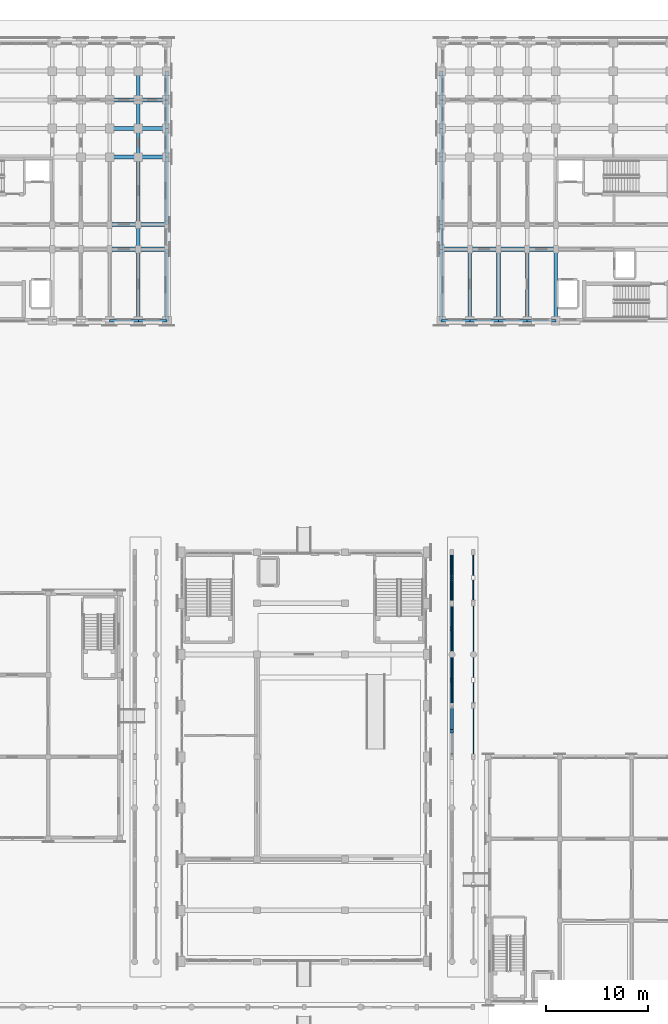
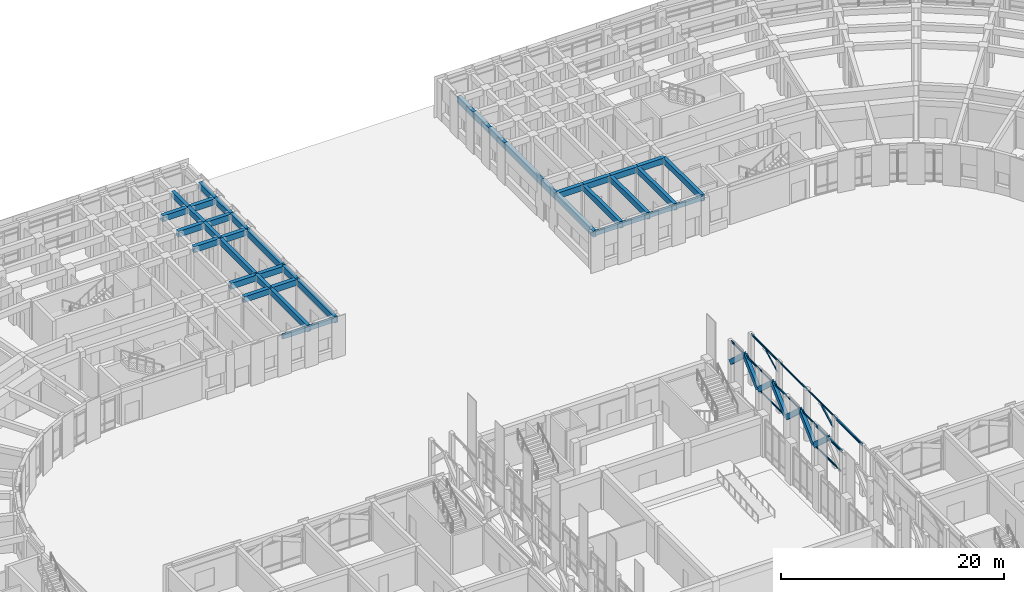
# One storey, part 44 of 135: 57 beams, 4 members.
"""IFC4 building model written with IfcOpenShell, lengths in metres."""

from ifc_helpers import new_model, si_unit, direction, frame, origin, origin_2d, place, context, subcontext, project, spatial, rectangle, hollow_rectangle, hollow_circle, i_section, extrude, material, material_profile, profile_set, type_object, element, save


model = new_model("IFC4")

# Units and contexts
model_context = context("Model", 3, precision=1e-05, world=origin(), true_north=direction((0.0, 1.0)))
body_context = subcontext(model_context, "Body", "Model", "MODEL_VIEW")
ifc_project = project(units=[si_unit("LENGTHUNIT", "METRE"), si_unit("AREAUNIT", "SQUARE_METRE"), si_unit("VOLUMEUNIT", "CUBIC_METRE"), si_unit("PLANEANGLEUNIT", "RADIAN"), si_unit("MASSUNIT", "GRAM", prefix="KILO")], contexts=[model_context])

# Site, building, storey
site_placement = place(None, origin())
site = spatial("IfcSite", under=ifc_project, at=site_placement, CompositionType="ELEMENT")
building_placement = place(site_placement, origin())
building = spatial("IfcBuilding", under=site, at=building_placement, Name="Kiranvali Square Residences", CompositionType="ELEMENT")
storey_placement = place(building_placement, origin())
storey = spatial("IfcBuildingStorey", under=building, at=storey_placement, Name="L00", CompositionType="ELEMENT", Elevation=0.0)

# Beams
ifc_material_1 = material(Name="Concrete M40 (40 MPa)", Category="concrete")
ifc_material_profile_1 = material_profile(ifc_material_1, rectangle(XDim=0.35009765625, YDim=0.5, at=origin_2d()), Name="RC 350x500")
ifc_profile_set_1 = profile_set([ifc_material_profile_1], Name="Concrete M40 (40 MPa)")
beam_type_1 = type_object("IfcBeamType", Name="AR-M40-350x500", PredefinedType="USERDEFINED", material=ifc_profile_set_1)
for number, where, z_axis, x_axis, name in (
    (1, (98.449951171875, 66.5, 5.4599609375), (0.0, 0.736401324674, -0.676544964521), (-1.0, 0.0, 0.0), "Classical pointed Ottoman arch rib ARCH-ARC-GDN-E-05.2"),
    (2, (98.449951171875, 69.0400390625, 3.199951171875), (0.0, 0.736401324674, 0.676544964521), (-1.0, 0.0, 0.0), "Classical pointed Ottoman arch rib ARCH-ARC-GDN-E-06.1"),
    (3, (98.449951171875, 71.5, 5.4599609375), (0.0, 0.736401324674, -0.676544964521), (-1.0, 0.0, 0.0), "Classical pointed Ottoman arch rib ARCH-ARC-GDN-E-06.2"),
    (4, (98.449951171875, 74.0400390625, 3.199951171875), (0.0, 0.736401324674, 0.676544964521), (-1.0, 0.0, 0.0), "Classical pointed Ottoman arch rib ARCH-ARC-GDN-E-07.1"),
    (5, (98.449951171875, 76.5, 5.4599609375), (0.0, 0.736401324674, -0.676544964521), (-1.0, 0.0, 0.0), "Classical pointed Ottoman arch rib ARCH-ARC-GDN-E-07.2"),
    (6, (98.449951171875, 79.0400390625, 3.199951171875), (0.0, 0.736401324674, 0.676544964521), (-1.0, 0.0, 0.0), "Classical pointed Ottoman arch rib ARCH-ARC-GDN-E-08.1"),
    (7, (98.449951171875, 81.5, 5.4599609375), (0.0, 0.736401324674, -0.676544964521), (-1.0, 0.0, 0.0), "Classical pointed Ottoman arch rib ARCH-ARC-GDN-E-08.2"),
):
    element("IfcBeam", number, at=place(storey_placement, frame(where, z_axis=z_axis, x_axis=x_axis)), inside=storey, type_object=beam_type_1, Name=name, ObjectType="ARCH RIB", PredefinedType="USERDEFINED", context=body_context, shape_type="SweptSolid", body=[
        extrude(rectangle(XDim=0.35009765625, YDim=0.5, at=origin_2d()), origin(), (0.0, 0.0, 1.0), 3.340576171875),
    ])
ifc_material_profile_2 = material_profile(ifc_material_1, rectangle(XDim=0.35009765625, YDim=0.64990234375, at=origin_2d()), Name="RC 350x650")
ifc_profile_set_2 = profile_set([ifc_material_profile_2], Name="Concrete M40 (40 MPa)")
beam_type_2 = type_object("IfcBeamType", Name="BM-M40-350x650", PredefinedType="BEAM", material=ifc_profile_set_2)
beam_1_placement = place(storey_placement, frame((67.800048828125, 106.60009765625, 3.824951171875), z_axis=(0.0, 1.0, 0.0), x_axis=(-1.0, 0.0, 0.0)))
element("IfcBeam", 8, at=beam_1_placement, inside=storey, type_object=beam_type_2, Name="L00 beam BM-A-L00-A1T4-01", PredefinedType="BEAM", context=body_context, shape_type="SweptSolid", body=[
    extrude(rectangle(XDim=0.35009765625, YDim=0.64990234375, at=origin_2d()), origin(), (0.0, 0.0, 1.0), 7.0),
])
beam_2_placement = place(storey_placement, frame((67.800048828125, 113.60009765625, 3.824951171875), z_axis=(0.0, 1.0, 0.0), x_axis=(-1.0, 0.0, 0.0)))
element("IfcBeam", 9, at=beam_2_placement, inside=storey, type_object=beam_type_2, Name="L00 beam BM-A-L00-A1T4-12", PredefinedType="BEAM", context=body_context, shape_type="SweptSolid", body=[
    extrude(rectangle(XDim=0.35009765625, YDim=0.64990234375, at=origin_2d()), origin(), (0.0, 0.0, 1.0), 2.39990234375),
])
beam_3_placement = place(storey_placement, frame((67.800048828125, 116.0, 3.824951171875), z_axis=(0.0, 1.0, 0.0), x_axis=(-1.0, 0.0, 0.0)))
element("IfcBeam", 10, at=beam_3_placement, inside=storey, type_object=beam_type_2, Name="L00 beam BM-A-L00-A1T4-23", PredefinedType="BEAM", context=body_context, shape_type="SweptSolid", body=[
    extrude(rectangle(XDim=0.35009765625, YDim=0.64990234375, at=origin_2d()), origin(), (0.0, 0.0, 1.0), 6.60009765625),
])
beam_4_placement = place(storey_placement, frame((67.800048828125, 122.60009765625, 3.824951171875), z_axis=(0.0, 1.0, 0.0), x_axis=(-1.0, 0.0, 0.0)))
element("IfcBeam", 11, at=beam_4_placement, inside=storey, type_object=beam_type_2, Name="L00 beam BM-A-L00-A1T4-34", PredefinedType="BEAM", context=body_context, shape_type="SweptSolid", body=[
    extrude(rectangle(XDim=0.35009765625, YDim=0.64990234375, at=origin_2d()), origin(), (0.0, 0.0, 1.0), 2.7998046875),
])
for number, where, z_axis, x_axis, name in (
    (12, (67.800048828125, 125.39990234375, 3.824951171875), (0.0, 1.0, 0.0), (-1.0, 0.0, 0.0), "L00 beam BM-A-L00-A1T4-45"),
    (13, (67.800048828125, 128.199951171875, 3.824951171875), (0.0, 1.0, 0.0), (-1.0, 0.0, 0.0), "L00 beam BM-A-L00-A1T4-56"),
):
    element("IfcBeam", number, at=place(storey_placement, frame(where, z_axis=z_axis, x_axis=x_axis)), inside=storey, type_object=beam_type_2, Name=name, PredefinedType="BEAM", context=body_context, shape_type="SweptSolid", body=[
        extrude(rectangle(XDim=0.35009765625, YDim=0.64990234375, at=origin_2d()), origin(), (0.0, 0.0, 1.0), 2.800048828125),
    ])
beam_5_placement = place(storey_placement, frame((70.60009765625, 106.60009765625, 3.824951171875), z_axis=(0.0, 1.0, 0.0), x_axis=(-1.0, 0.0, 0.0)))
element("IfcBeam", 14, at=beam_5_placement, inside=storey, type_object=beam_type_2, Name="L00 beam BM-A-L00-A1T5-01", PredefinedType="BEAM", context=body_context, shape_type="SweptSolid", body=[
    extrude(rectangle(XDim=0.35009765625, YDim=0.64990234375, at=origin_2d()), origin(), (0.0, 0.0, 1.0), 7.0),
])
beam_6_placement = place(storey_placement, frame((70.60009765625, 113.60009765625, 3.824951171875), z_axis=(0.0, 1.0, 0.0), x_axis=(-1.0, 0.0, 0.0)))
element("IfcBeam", 15, at=beam_6_placement, inside=storey, type_object=beam_type_2, Name="L00 beam BM-A-L00-A1T5-12", PredefinedType="BEAM", context=body_context, shape_type="SweptSolid", body=[
    extrude(rectangle(XDim=0.35009765625, YDim=0.64990234375, at=origin_2d()), origin(), (0.0, 0.0, 1.0), 2.39990234375),
])
beam_7_placement = place(storey_placement, frame((70.60009765625, 116.0, 3.824951171875), z_axis=(0.0, 1.0, 0.0), x_axis=(-1.0, 0.0, 0.0)))
element("IfcBeam", 16, at=beam_7_placement, inside=storey, type_object=beam_type_2, Name="L00 beam BM-A-L00-A1T5-23", PredefinedType="BEAM", context=body_context, shape_type="SweptSolid", body=[
    extrude(rectangle(XDim=0.35009765625, YDim=0.64990234375, at=origin_2d()), origin(), (0.0, 0.0, 1.0), 6.60009765625),
])
beam_8_placement = place(storey_placement, frame((70.60009765625, 122.60009765625, 3.824951171875), z_axis=(0.0, 1.0, 0.0), x_axis=(-1.0, 0.0, 0.0)))
element("IfcBeam", 17, at=beam_8_placement, inside=storey, type_object=beam_type_2, Name="L00 beam BM-A-L00-A1T5-34", PredefinedType="BEAM", context=body_context, shape_type="SweptSolid", body=[
    extrude(rectangle(XDim=0.35009765625, YDim=0.64990234375, at=origin_2d()), origin(), (0.0, 0.0, 1.0), 2.7998046875),
])
for number, where, z_axis, x_axis, name in (
    (18, (70.60009765625, 125.39990234375, 3.824951171875), (0.0, 1.0, 0.0), (-1.0, 0.0, 0.0), "L00 beam BM-A-L00-A1T5-45"),
    (19, (70.60009765625, 128.199951171875, 3.824951171875), (0.0, 1.0, 0.0), (-1.0, 0.0, 0.0), "L00 beam BM-A-L00-A1T5-56"),
):
    element("IfcBeam", number, at=place(storey_placement, frame(where, z_axis=z_axis, x_axis=x_axis)), inside=storey, type_object=beam_type_2, Name=name, PredefinedType="BEAM", context=body_context, shape_type="SweptSolid", body=[
        extrude(rectangle(XDim=0.35009765625, YDim=0.64990234375, at=origin_2d()), origin(), (0.0, 0.0, 1.0), 2.800048828125),
    ])
for number, where, z_axis, x_axis, name in (
    (20, (108.60009765625, 106.60009765625, 3.824951171875), (0.0, 1.0, 0.0), (-1.0, 0.0, 0.0), "L00 beam BM-B-L00-A1T1-01"),
    (21, (105.800048828125, 106.60009765625, 3.824951171875), (0.0, 1.0, 0.0), (-1.0, 0.0, 0.0), "L00 beam BM-B-L00-A1T2-01"),
    (22, (103.0, 106.60009765625, 3.824951171875), (0.0, 1.0, 0.0), (-1.0, 0.0, 0.0), "L00 beam BM-B-L00-A1T3-01"),
    (23, (100.199951171875, 106.60009765625, 3.824951171875), (0.0, 1.0, 0.0), (-1.0, 0.0, 0.0), "L00 beam BM-B-L00-A1T4-01"),
    (24, (97.39990234375, 106.60009765625, 3.824951171875), (0.0, 1.0, 0.0), (-1.0, 0.0, 0.0), "L00 beam BM-B-L00-A1T5-01"),
):
    element("IfcBeam", number, at=place(storey_placement, frame(where, z_axis=z_axis, x_axis=x_axis)), inside=storey, type_object=beam_type_2, Name=name, PredefinedType="BEAM", context=body_context, shape_type="SweptSolid", body=[
        extrude(rectangle(XDim=0.35009765625, YDim=0.64990234375, at=origin_2d()), origin(), (0.0, 0.0, 1.0), 7.0),
    ])
beam_9_placement = place(storey_placement, frame((97.39990234375, 113.60009765625, 3.824951171875), z_axis=(0.0, 1.0, 0.0), x_axis=(-1.0, 0.0, 0.0)))
element("IfcBeam", 25, at=beam_9_placement, inside=storey, type_object=beam_type_2, Name="L00 beam BM-B-L00-A1T5-12", PredefinedType="BEAM", context=body_context, shape_type="SweptSolid", body=[
    extrude(rectangle(XDim=0.35009765625, YDim=0.64990234375, at=origin_2d()), origin(), (0.0, 0.0, 1.0), 2.39990234375),
])
beam_10_placement = place(storey_placement, frame((97.39990234375, 116.0, 3.824951171875), z_axis=(0.0, 1.0, 0.0), x_axis=(-1.0, 0.0, 0.0)))
element("IfcBeam", 26, at=beam_10_placement, inside=storey, type_object=beam_type_2, Name="L00 beam BM-B-L00-A1T5-23", PredefinedType="BEAM", context=body_context, shape_type="SweptSolid", body=[
    extrude(rectangle(XDim=0.35009765625, YDim=0.64990234375, at=origin_2d()), origin(), (0.0, 0.0, 1.0), 6.60009765625),
])
beam_11_placement = place(storey_placement, frame((97.39990234375, 122.60009765625, 3.824951171875), z_axis=(0.0, 1.0, 0.0), x_axis=(-1.0, 0.0, 0.0)))
element("IfcBeam", 27, at=beam_11_placement, inside=storey, type_object=beam_type_2, Name="L00 beam BM-B-L00-A1T5-34", PredefinedType="BEAM", context=body_context, shape_type="SweptSolid", body=[
    extrude(rectangle(XDim=0.35009765625, YDim=0.64990234375, at=origin_2d()), origin(), (0.0, 0.0, 1.0), 2.7998046875),
])
for number, where, z_axis, x_axis, name in (
    (28, (97.39990234375, 125.39990234375, 3.824951171875), (0.0, 1.0, 0.0), (-1.0, 0.0, 0.0), "L00 beam BM-B-L00-A1T5-45"),
    (29, (97.39990234375, 128.199951171875, 3.824951171875), (0.0, 1.0, 0.0), (-1.0, 0.0, 0.0), "L00 beam BM-B-L00-A1T5-56"),
):
    element("IfcBeam", number, at=place(storey_placement, frame(where, z_axis=z_axis, x_axis=x_axis)), inside=storey, type_object=beam_type_2, Name=name, PredefinedType="BEAM", context=body_context, shape_type="SweptSolid", body=[
        extrude(rectangle(XDim=0.35009765625, YDim=0.64990234375, at=origin_2d()), origin(), (0.0, 0.0, 1.0), 2.800048828125),
    ])
ifc_material_2 = material(Name="Concrete M45 (45 MPa)", Category="concrete")
ifc_material_profile_3 = material_profile(ifc_material_2, rectangle(XDim=0.39990234375, YDim=0.64990234375, at=origin_2d()), Name="RC 400x650")
ifc_profile_set_3 = profile_set([ifc_material_profile_3], Name="Concrete M45 (45 MPa)")
beam_type_3 = type_object("IfcBeamType", Name="BM-M45-400x650", PredefinedType="BEAM", material=ifc_profile_set_3)
for number, where, z_axis, x_axis, name in (
    (30, (65.0, 113.60009765625, 3.824951171875), (1.0, 0.0, 0.0), (0.0, 1.0, 0.0), "L00 beam BM-A-L00-A1U3-R1"),
    (31, (67.800048828125, 113.60009765625, 3.824951171875), (1.0, 0.0, 0.0), (0.0, 1.0, 0.0), "L00 beam BM-A-L00-A1U4-R1"),
    (32, (65.0, 116.0, 3.824951171875), (1.0, 0.0, 0.0), (0.0, 1.0, 0.0), "L00 beam BM-A-L00-A1U3-R2"),
    (33, (67.800048828125, 116.0, 3.824951171875), (1.0, 0.0, 0.0), (0.0, 1.0, 0.0), "L00 beam BM-A-L00-A1U4-R2"),
    (34, (65.0, 122.60009765625, 3.824951171875), (1.0, 0.0, 0.0), (0.0, 1.0, 0.0), "L00 beam BM-A-L00-A1U3-R3"),
    (35, (67.800048828125, 122.60009765625, 3.824951171875), (1.0, 0.0, 0.0), (0.0, 1.0, 0.0), "L00 beam BM-A-L00-A1U4-R3"),
    (36, (65.0, 125.39990234375, 3.824951171875), (1.0, 0.0, 0.0), (0.0, 1.0, 0.0), "L00 beam BM-A-L00-A1U4-R4"),
    (37, (67.800048828125, 125.39990234375, 3.824951171875), (1.0, 0.0, 0.0), (0.0, 1.0, 0.0), "L00 beam BM-A-L00-A1U5-R4"),
    (38, (65.0, 128.199951171875, 3.824951171875), (1.0, 0.0, 0.0), (0.0, 1.0, 0.0), "L00 beam BM-A-L00-A1U4-R5"),
    (39, (67.800048828125, 128.199951171875, 3.824951171875), (1.0, 0.0, 0.0), (0.0, 1.0, 0.0), "L00 beam BM-A-L00-A1U5-R5"),
    (40, (108.60009765625, 113.60009765625, 3.824951171875), (-1.0, 0.0, 0.0), (0.0, -1.0, 0.0), "L00 beam BM-B-L00-A1U1-R1"),
    (41, (105.800048828125, 113.60009765625, 3.824951171875), (-1.0, 0.0, 0.0), (0.0, -1.0, 0.0), "L00 beam BM-B-L00-A1U2-R1"),
    (42, (103.0, 113.60009765625, 3.824951171875), (-1.0, 0.0, 0.0), (0.0, -1.0, 0.0), "L00 beam BM-B-L00-A1U3-R1"),
    (43, (100.199951171875, 113.60009765625, 3.824951171875), (-1.0, 0.0, 0.0), (0.0, -1.0, 0.0), "L00 beam BM-B-L00-A1U4-R1"),
):
    element("IfcBeam", number, at=place(storey_placement, frame(where, z_axis=z_axis, x_axis=x_axis)), inside=storey, type_object=beam_type_3, Name=name, PredefinedType="BEAM", context=body_context, shape_type="SweptSolid", body=[
        extrude(rectangle(XDim=0.39990234375, YDim=0.64990234375, at=origin_2d()), origin(), (0.0, 0.0, 1.0), 2.800048828125),
    ])

# Members
ifc_material_3 = material(Name="Structural steel E350", Category="steel")
ifc_material_profile_4 = material_profile(ifc_material_3, hollow_circle(Radius=0.05712890625, WallThickness=0.00537109375, at=origin_2d()), Name="CHS 114.3x5.4")
ifc_profile_set_4 = profile_set([ifc_material_profile_4], Name="Structural steel E350")
member_type_1 = type_object("IfcMemberType", Name="MEM-CHS114", PredefinedType="BRACE", material=ifc_profile_set_4)
member_1_placement = place(storey_placement, frame((100.550048828125, 79.31103515625, 4.199951171875), z_axis=(0.0, 0.889573556007, 0.45679195314), x_axis=(-1.0, 0.0, 0.0)))
element("IfcMember", 44, at=member_1_placement, inside=storey, type_object=member_type_1, Name="Colonnade steel knee brace ARC-GDN-E-8", PredefinedType="BRACE", context=body_context, shape_type="SweptSolid", body=[
    extrude(hollow_circle(Radius=0.05712890625, WallThickness=0.00537109375, at=origin_2d()), origin(), (0.0, 0.0, 1.0), 2.460693359375),
])
ifc_material_profile_5 = material_profile(ifc_material_3, hollow_circle(Radius=0.08251953125, WallThickness=0.00537109375, at=origin_2d()), Name="CHS 165.1x5.4")
ifc_profile_set_5 = profile_set([ifc_material_profile_5], Name="Structural steel E350")
member_type_2 = type_object("IfcMemberType", Name="MEM-CHS165", PredefinedType="USERDEFINED", material=ifc_profile_set_5)
member_2_placement = place(storey_placement, frame((98.449951171875, 64.299072265625, 3.14990234375), z_axis=(0.0, 1.0, 0.0), x_axis=(-1.0, 0.0, 0.0)))
element("IfcMember", 45, at=member_2_placement, inside=storey, type_object=member_type_2, Name="Ottoman arch springing tie rod ARC-GDN-E-5", ObjectType="TIE ROD", PredefinedType="USERDEFINED", context=body_context, shape_type="SweptSolid", body=[
    extrude(hollow_circle(Radius=0.08251953125, WallThickness=0.00537109375, at=origin_2d()), origin(), (0.0, 0.0, 1.0), 4.427001953125),
])
member_3_placement = place(storey_placement, frame((98.449951171875, 74.323974609375, 3.14990234375), z_axis=(0.0, 1.0, 0.0), x_axis=(-1.0, 0.0, 0.0)))
element("IfcMember", 46, at=member_3_placement, inside=storey, type_object=member_type_2, Name="Ottoman arch springing tie rod ARC-GDN-E-7", ObjectType="TIE ROD", PredefinedType="USERDEFINED", context=body_context, shape_type="SweptSolid", body=[
    extrude(hollow_circle(Radius=0.08251953125, WallThickness=0.00537109375, at=origin_2d()), origin(), (0.0, 0.0, 1.0), 4.376953125),
])
ifc_material_profile_6 = material_profile(ifc_material_3, hollow_rectangle(XDim=0.132080078125, YDim=0.132080078125, WallThickness=0.00537109375, at=origin_2d()), Name="SHS 132x132x5.4")
ifc_profile_set_6 = profile_set([ifc_material_profile_6], Name="Structural steel E350")
member_type_3 = type_object("IfcMemberType", Name="MEM-SHS132", PredefinedType="BRACE", material=ifc_profile_set_6)
member_4_placement = place(storey_placement, frame((100.550048828125, 69.285888671875, 4.199951171875), z_axis=(0.0, 0.883474931249, 0.468478436915), x_axis=(-1.0, 0.0, 0.0)))
element("IfcMember", 47, at=member_4_placement, inside=storey, type_object=member_type_3, Name="Colonnade steel knee brace ARC-GDN-E-6", PredefinedType="BRACE", context=body_context, shape_type="SweptSolid", body=[
    extrude(hollow_rectangle(XDim=0.132080078125, YDim=0.132080078125, WallThickness=0.00537109375, at=origin_2d()), origin(), (0.0, 0.0, 1.0), 2.506103515625),
])

# Beams
ifc_material_profile_7 = material_profile(ifc_material_3, i_section(OverallWidth=0.074951171875, OverallDepth=0.14990234375, WebThickness=0.0048828125, FlangeThickness=0.008056640625, at=origin_2d()), Name="ISMB 150")
ifc_profile_set_7 = profile_set([ifc_material_profile_7], Name="Structural steel E350")
beam_type_4 = type_object("IfcBeamType", Name="SBM-ISMB150", PredefinedType="JOIST", material=ifc_profile_set_7)
for number, where, z_axis, x_axis, name in (
    (48, (98.449951171875, 69.0, 5.485107421875), (0.0, 1.0, 0.0), (-1.0, 0.0, 0.0), "Colonnade entablature steel beam ARC-GDN-E-6"),
    (49, (100.550048828125, 69.0, 5.485107421875), (0.0, 1.0, 0.0), (-1.0, 0.0, 0.0), "Colonnade inner entablature steel beam ARC-GDN-E-6B"),
):
    element("IfcBeam", number, at=place(storey_placement, frame(where, z_axis=z_axis, x_axis=x_axis)), inside=storey, type_object=beam_type_4, Name=name, PredefinedType="JOIST", context=body_context, shape_type="SweptSolid", body=[
        extrude(i_section(OverallWidth=0.074951171875, OverallDepth=0.14990234375, WebThickness=0.0048828125, FlangeThickness=0.008056640625, at=origin_2d()), origin(), (0.0, 0.0, 1.0), 5.0),
    ])
ifc_material_profile_8 = material_profile(ifc_material_3, i_section(OverallWidth=0.0849609375, OverallDepth=0.175048828125, WebThickness=0.005859375, FlangeThickness=0.009033203125, at=origin_2d()), Name="ISMB 175")
ifc_profile_set_8 = profile_set([ifc_material_profile_8], Name="Structural steel E350")
beam_type_5 = type_object("IfcBeamType", Name="SBM-ISMB175", PredefinedType="JOIST", material=ifc_profile_set_8)
for number, where, z_axis, x_axis, name in (
    (50, (98.449951171875, 74.0, 5.472412109375), (0.0, 1.0, 0.0), (-1.0, 0.0, 0.0), "Colonnade entablature steel beam ARC-GDN-E-7"),
    (51, (100.550048828125, 74.0, 5.472412109375), (0.0, 1.0, 0.0), (-1.0, 0.0, 0.0), "Colonnade inner entablature steel beam ARC-GDN-E-7B"),
):
    element("IfcBeam", number, at=place(storey_placement, frame(where, z_axis=z_axis, x_axis=x_axis)), inside=storey, type_object=beam_type_5, Name=name, PredefinedType="JOIST", context=body_context, shape_type="SweptSolid", body=[
        extrude(i_section(OverallWidth=0.0849609375, OverallDepth=0.175048828125, WebThickness=0.005859375, FlangeThickness=0.009033203125, at=origin_2d()), origin(), (0.0, 0.0, 1.0), 5.0),
    ])
ifc_material_profile_9 = material_profile(ifc_material_3, i_section(OverallWidth=0.10009765625, OverallDepth=0.199951171875, WebThickness=0.005615234375, FlangeThickness=0.0107421875, at=origin_2d()), Name="ISMB 200")
ifc_profile_set_9 = profile_set([ifc_material_profile_9], Name="Structural steel E350")
beam_type_6 = type_object("IfcBeamType", Name="SBM-ISMB200", PredefinedType="JOIST", material=ifc_profile_set_9)
for number, where, z_axis, x_axis, name in (
    (52, (98.449951171875, 79.0, 5.4599609375), (0.0, 1.0, 0.0), (-1.0, 0.0, 0.0), "Colonnade entablature steel beam ARC-GDN-E-8"),
    (53, (100.550048828125, 79.0, 5.4599609375), (0.0, 1.0, 0.0), (-1.0, 0.0, 0.0), "Colonnade inner entablature steel beam ARC-GDN-E-8B"),
):
    element("IfcBeam", number, at=place(storey_placement, frame(where, z_axis=z_axis, x_axis=x_axis)), inside=storey, type_object=beam_type_6, Name=name, PredefinedType="JOIST", context=body_context, shape_type="SweptSolid", body=[
        extrude(i_section(OverallWidth=0.10009765625, OverallDepth=0.199951171875, WebThickness=0.005615234375, FlangeThickness=0.0107421875, at=origin_2d()), origin(), (0.0, 0.0, 1.0), 5.0),
    ])
ifc_material_profile_10 = material_profile(ifc_material_3, i_section(OverallWidth=0.125, OverallDepth=0.25, WebThickness=0.0068359375, FlangeThickness=0.012451171875, at=origin_2d()), Name="ISMB 250")
ifc_profile_set_10 = profile_set([ifc_material_profile_10], Name="Structural steel E350")
beam_type_7 = type_object("IfcBeamType", Name="SBM-ISMB250", PredefinedType="JOIST", material=ifc_profile_set_10)
for number, where, z_axis, x_axis, name in (
    (54, (98.449951171875, 64.0, 5.43505859375), (0.0, 1.0, 0.0), (-1.0, 0.0, 0.0), "Colonnade entablature steel beam ARC-GDN-E-5"),
    (55, (100.550048828125, 64.0, 5.43505859375), (0.0, 1.0, 0.0), (-1.0, 0.0, 0.0), "Colonnade inner entablature steel beam ARC-GDN-E-5B"),
):
    element("IfcBeam", number, at=place(storey_placement, frame(where, z_axis=z_axis, x_axis=x_axis)), inside=storey, type_object=beam_type_7, Name=name, PredefinedType="JOIST", context=body_context, shape_type="SweptSolid", body=[
        extrude(i_section(OverallWidth=0.125, OverallDepth=0.25, WebThickness=0.0068359375, FlangeThickness=0.012451171875, at=origin_2d()), origin(), (0.0, 0.0, 1.0), 5.0),
    ])
ifc_material_profile_11 = material_profile(ifc_material_1, rectangle(XDim=0.25, YDim=0.449951171875, at=origin_2d()), Name="RC 250x450")
ifc_profile_set_11 = profile_set([ifc_material_profile_11], Name="Concrete M40 (40 MPa)")
beam_type_8 = type_object("IfcBeamType", Name="SPN-M40-250x450", PredefinedType="SPANDREL", material=ifc_profile_set_11)
for number, where, z_axis, x_axis, name in (
    (56, (65.0, 106.60009765625, 3.925048828125), (1.0, 0.0, 0.0), (0.0, 1.0, 0.0), "L00 beam BM-A-L00-A1U3-R0"),
    (57, (67.800048828125, 106.60009765625, 3.925048828125), (1.0, 0.0, 0.0), (0.0, 1.0, 0.0), "L00 beam BM-A-L00-A1U4-R0"),
    (58, (108.60009765625, 106.60009765625, 3.925048828125), (-1.0, 0.0, 0.0), (0.0, -1.0, 0.0), "L00 beam BM-B-L00-A1U1-R0"),
    (59, (105.800048828125, 106.60009765625, 3.925048828125), (-1.0, 0.0, 0.0), (0.0, -1.0, 0.0), "L00 beam BM-B-L00-A1U2-R0"),
    (60, (103.0, 106.60009765625, 3.925048828125), (-1.0, 0.0, 0.0), (0.0, -1.0, 0.0), "L00 beam BM-B-L00-A1U3-R0"),
    (61, (100.199951171875, 106.60009765625, 3.925048828125), (-1.0, 0.0, 0.0), (0.0, -1.0, 0.0), "L00 beam BM-B-L00-A1U4-R0"),
):
    element("IfcBeam", number, at=place(storey_placement, frame(where, z_axis=z_axis, x_axis=x_axis)), inside=storey, type_object=beam_type_8, Name=name, PredefinedType="SPANDREL", context=body_context, shape_type="SweptSolid", body=[
        extrude(rectangle(XDim=0.25, YDim=0.449951171875, at=origin_2d()), origin(), (0.0, 0.0, 1.0), 2.800048828125),
    ])

save(model, "model.ifc")
